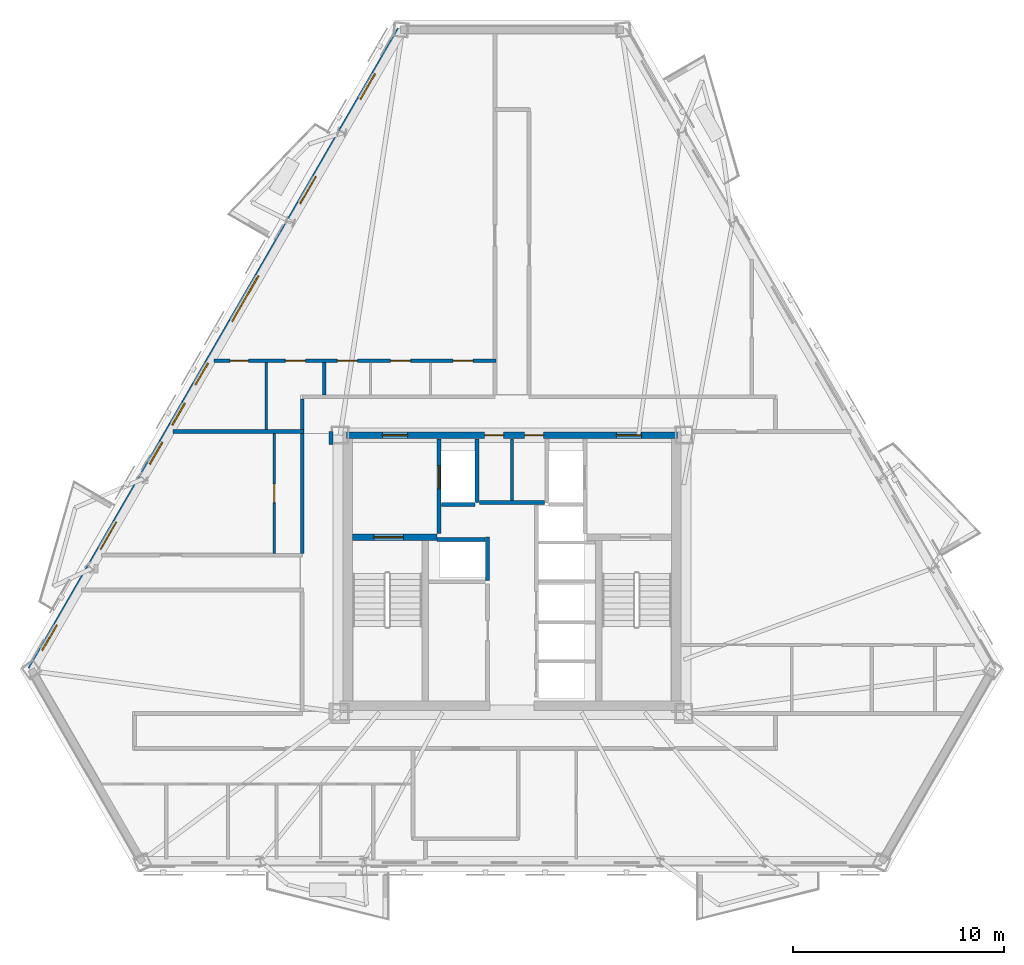
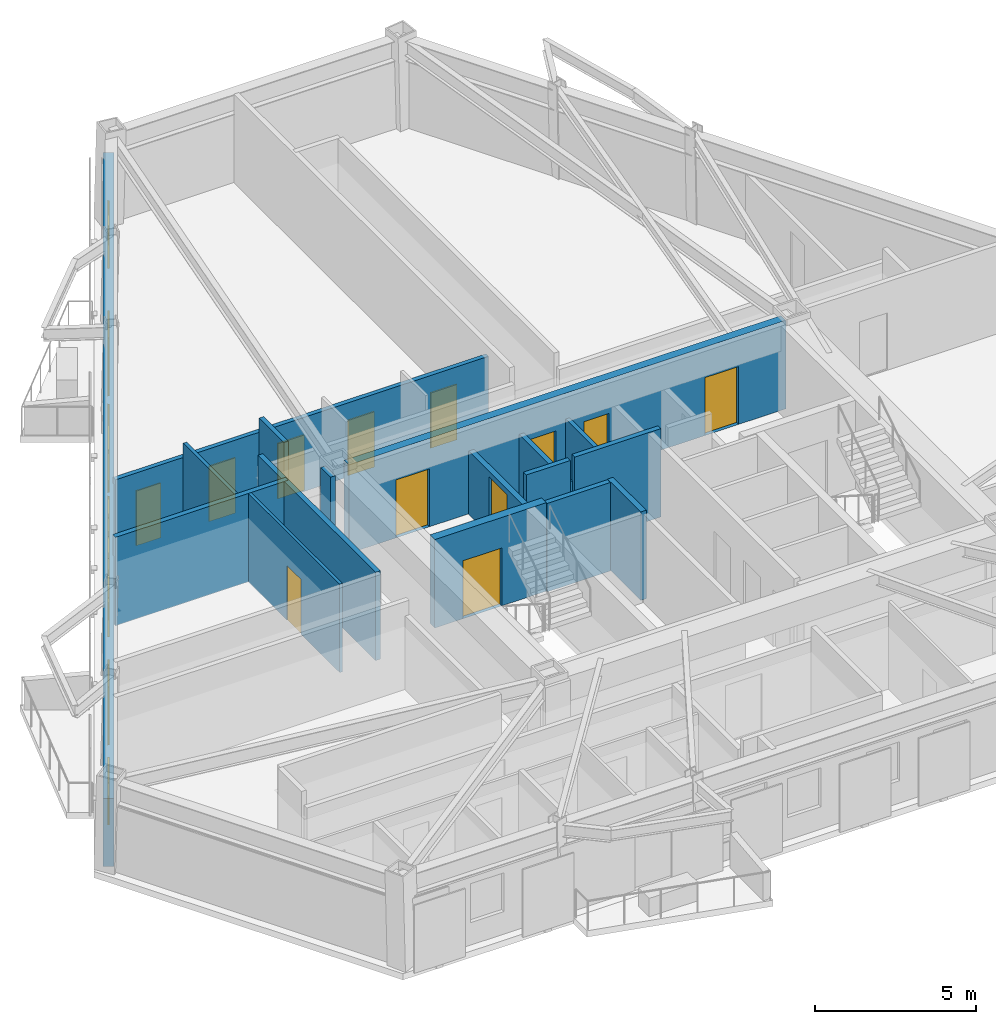
# One storey, part 4 of 9: 17 walls, 14 doors, 6 windows, 20 openings.
"""IFC4 building model written with IfcOpenShell, lengths in metres."""

from ifc_helpers import new_model, si_unit, direction, frame, frame_2d, origin, place, context, subcontext, project, spatial, rectangle, extrude, material, layer, layer_set, type_object, element, fill, save


model = new_model("IFC4")

# Units and contexts
model_context = context("Model", 3, precision=1e-05, world=origin(), true_north=direction((0.0, 1.0)))
body_context = subcontext(model_context, "Body", "Model", "MODEL_VIEW")
ifc_project = project(units=[si_unit("LENGTHUNIT", "METRE"), si_unit("AREAUNIT", "SQUARE_METRE"), si_unit("VOLUMEUNIT", "CUBIC_METRE"), si_unit("PLANEANGLEUNIT", "RADIAN"), si_unit("MASSUNIT", "GRAM", prefix="KILO")], contexts=[model_context])

# Site, building, storey
site_placement = place(None, origin())
site = spatial("IfcSite", under=ifc_project, at=site_placement, CompositionType="ELEMENT")
building_placement = place(site_placement, origin())
building = spatial("IfcBuilding", under=site, at=building_placement, Name="Oramaril Tower", CompositionType="ELEMENT")
storey_placement = place(building_placement, frame((0.0, 0.0, 126.60009765625)))
storey = spatial("IfcBuildingStorey", under=building, at=storey_placement, Name="L33", CompositionType="ELEMENT", Elevation=126.60009765625)

# Wall, openings, doors, windows
ifc_material_1 = material(Name="Warm Cream Limestone", Category="masonry")
ifc_layer_1 = layer(ifc_material_1, 0.340087890625)
ifc_layer_set_1 = layer_set([ifc_layer_1], Name="WT-EXT34")
wall_type_1 = type_object("IfcWallType", Name="WT-EXT34", PredefinedType="SOLIDWALL", material=ifc_layer_set_1)
wall_1_placement = place(storey_placement, frame((32.2138671875, 43.387451171875, 0.0), z_axis=(0.0, 0.0, 1.0), x_axis=(-0.499998814518, -0.866026088222, 0.0)))
wall_1 = element("IfcWall", 1, at=wall_1_placement, inside=storey, type_object=wall_type_1, Name="L33 Tower Limestone Facade Wall 6M", PredefinedType="SOLIDWALL", context=body_context, shape_type="SweptSolid", body=[
    extrude(rectangle(XDim=35.048828125, YDim=0.340087890625, at=frame_2d((17.5244140625, 0.0))), origin(), (0.0, 0.0, 1.0), 2.577880859375),
])
opening_1_placement = place(wall_1_placement, frame((8.034423828125, 0.0, 0.0)))
opening_1 = element("IfcOpeningElement", 2, at=opening_1_placement, cuts=wall_1, Name="Opening D-L33-BAL-NW1", PredefinedType="OPENING", context=body_context, shape_type="SweptSolid", body=[
    extrude(rectangle(XDim=1.5, YDim=2.199951171875, at=frame_2d((0.75, 1.10009765625))), frame((0.0, 0.169921875, 0.0), z_axis=(0.0, -1.0, 0.0), x_axis=(1.0, 0.0, 0.0)), (0.0, 0.0, 1.0), 0.340087890625),
])
opening_2_placement = place(wall_1_placement, frame((26.9697265625, 0.0, 0.0)))
opening_2 = element("IfcOpeningElement", 3, at=opening_2_placement, cuts=wall_1, Name="Opening D-L33-BAL-NW2", PredefinedType="OPENING", context=body_context, shape_type="SweptSolid", body=[
    extrude(rectangle(XDim=1.5, YDim=2.199951171875, at=frame_2d((0.75, 1.10009765625))), frame((0.0, 0.169921875, 0.0), z_axis=(0.0, -1.0, 0.0), x_axis=(1.0, 0.0, 0.0)), (0.0, 0.0, 1.0), 0.340087890625),
])
opening_3_placement = place(wall_1_placement, frame((32.614013671875, 0.0, 0.85009765625)))
opening_3 = element("IfcOpeningElement", 4, at=opening_3_placement, cuts=wall_1, Name="Opening WN-08", PredefinedType="OPENING", context=body_context, shape_type="SweptSolid", body=[
    extrude(rectangle(XDim=1.39990234375, YDim=1.60009765625, at=frame_2d((0.699951171875, 0.800048828125))), frame((0.0, 0.169921875, 0.0), z_axis=(0.0, -1.0, 0.0), x_axis=(1.0, 0.0, 0.0)), (0.0, 0.0, 1.0), 0.340087890625),
])
opening_4_placement = place(wall_1_placement, frame((22.603271484375, 0.0, 0.85009765625)))
opening_4 = element("IfcOpeningElement", 5, at=opening_4_placement, cuts=wall_1, Name="Opening WN-09", PredefinedType="OPENING", context=body_context, shape_type="SweptSolid", body=[
    extrude(rectangle(XDim=1.199951171875, YDim=1.47998046875, at=frame_2d((0.60009765625, 0.739990234375))), frame((0.0, 0.169921875, 0.0), z_axis=(0.0, -1.0, 0.0), x_axis=(1.0, 0.0, 0.0)), (0.0, 0.0, 1.0), 0.340087890625),
])
opening_5_placement = place(wall_1_placement, frame((2.4140625, 0.0, 0.85009765625)))
opening_5 = element("IfcOpeningElement", 6, at=opening_5_placement, cuts=wall_1, Name="Opening WN-08", PredefinedType="OPENING", context=body_context, shape_type="SweptSolid", body=[
    extrude(rectangle(XDim=1.39990234375, YDim=1.60009765625, at=frame_2d((0.699951171875, 0.800048828125))), frame((0.0, 0.169921875, 0.0), z_axis=(0.0, -1.0, 0.0), x_axis=(1.0, 0.0, 0.0)), (0.0, 0.0, 1.0), 0.340087890625),
])
opening_6_placement = place(wall_1_placement, frame((13.48388671875, 0.0, 0.85009765625)))
opening_6 = element("IfcOpeningElement", 7, at=opening_6_placement, cuts=wall_1, Name="Opening WN-11", PredefinedType="OPENING", context=body_context, shape_type="SweptSolid", body=[
    extrude(rectangle(XDim=2.5, YDim=1.617919921875, at=frame_2d((1.25, 0.80908203125))), frame((0.0, 0.169921875, 0.0), z_axis=(0.0, -1.0, 0.0), x_axis=(1.0, 0.0, 0.0)), (0.0, 0.0, 1.0), 0.340087890625),
])
opening_7_placement = place(wall_1_placement, frame((18.27001953125, 0.0, 0.85009765625)))
opening_7 = element("IfcOpeningElement", 8, at=opening_7_placement, cuts=wall_1, Name="Opening WN-09", PredefinedType="OPENING", context=body_context, shape_type="SweptSolid", body=[
    extrude(rectangle(XDim=1.199951171875, YDim=1.47998046875, at=frame_2d((0.60009765625, 0.739990234375))), frame((0.0, 0.169921875, 0.0), z_axis=(0.0, -1.0, 0.0), x_axis=(1.0, 0.0, 0.0)), (0.0, 0.0, 1.0), 0.340087890625),
])
opening_8_placement = place(wall_1_placement, frame((20.465576171875, 0.0, 0.85009765625)))
opening_8 = element("IfcOpeningElement", 9, at=opening_8_placement, cuts=wall_1, Name="Opening WN-09", PredefinedType="OPENING", context=body_context, shape_type="SweptSolid", body=[
    extrude(rectangle(XDim=1.199951171875, YDim=1.47998046875, at=frame_2d((0.60009765625, 0.739990234375))), frame((0.0, 0.169921875, 0.0), z_axis=(0.0, -1.0, 0.0), x_axis=(1.0, 0.0, 0.0)), (0.0, 0.0, 1.0), 0.340087890625),
])
ifc_material_2 = material(Name="Anodised Aluminium 6063-T6", Category="aluminium")
door_type_1 = type_object("IfcDoorType", Name="DT-BAL", OperationType="NOTDEFINED", PredefinedType="DOOR", material=ifc_material_2)
door_1_placement = place(opening_1_placement, origin())
door_1 = element("IfcDoor", 10, at=door_1_placement, inside=storey, type_object=door_type_1, Name="L33 Balcony Glazed Door L33-BAL-NW1", OperationType="SINGLE_SWING_RIGHT", OverallHeight=2.199951171875, OverallWidth=1.5, PredefinedType="DOOR", context=body_context, shape_type="SweptSolid", body=[
    extrude(rectangle(XDim=1.5, YDim=2.199951171875, at=frame_2d((0.75, 1.10009765625))), frame((0.0, 0.02490234375, 0.0), z_axis=(0.0, -1.0, 0.0), x_axis=(1.0, 0.0, 0.0)), (0.0, 0.0, 1.0), 0.050048828125),
])
fill(opening_1, door_1)
door_2_placement = place(opening_2_placement, origin())
door_2 = element("IfcDoor", 11, at=door_2_placement, inside=storey, type_object=door_type_1, Name="L33 Balcony Glazed Door L33-BAL-NW2", OperationType="SINGLE_SWING_LEFT", OverallHeight=2.199951171875, OverallWidth=1.5, PredefinedType="DOOR", context=body_context, shape_type="SweptSolid", body=[
    extrude(rectangle(XDim=1.5, YDim=2.199951171875, at=frame_2d((0.75, 1.10009765625))), frame((0.0, 0.02490234375, 0.0), z_axis=(0.0, -1.0, 0.0), x_axis=(1.0, 0.0, 0.0)), (0.0, 0.0, 1.0), 0.050048828125),
])
fill(opening_2, door_2)
ifc_material_3 = material(Name="Coastal Low-E Insulated Glass", Category="glass")
window_type_1 = type_object("IfcWindowType", Name="WNT-08", PartitioningType="SINGLE_PANEL", PredefinedType="WINDOW", material=ifc_material_3)
window_1_placement = place(opening_3_placement, origin())
window_1 = element("IfcWindow", 12, at=window_1_placement, inside=storey, type_object=window_type_1, Name="L33 Chicago Bay Window WN-08", OverallHeight=1.60009765625, OverallWidth=1.39990234375, PartitioningType="SINGLE_PANEL", PredefinedType="WINDOW", context=body_context, shape_type="SweptSolid", body=[
    extrude(rectangle(XDim=1.39990234375, YDim=1.60009765625, at=frame_2d((0.699951171875, 0.800048828125))), frame((0.0, 0.030029296875, 0.0), z_axis=(0.0, -1.0, 0.0), x_axis=(1.0, 0.0, 0.0)), (0.0, 0.0, 1.0), 0.06005859375),
])
fill(opening_3, window_1)
window_2_placement = place(opening_5_placement, origin())
window_2 = element("IfcWindow", 13, at=window_2_placement, inside=storey, type_object=window_type_1, Name="L33 Chicago Bay Window WN-08", OverallHeight=1.60009765625, OverallWidth=1.39990234375, PartitioningType="SINGLE_PANEL", PredefinedType="WINDOW", context=body_context, shape_type="SweptSolid", body=[
    extrude(rectangle(XDim=1.39990234375, YDim=1.60009765625, at=frame_2d((0.699951171875, 0.800048828125))), frame((0.0, 0.030029296875, 0.0), z_axis=(0.0, -1.0, 0.0), x_axis=(1.0, 0.0, 0.0)), (0.0, 0.0, 1.0), 0.06005859375),
])
fill(opening_5, window_2)
ifc_material_4 = material(Name="Coastal Low-E Insulated Glass", Category="glass")
window_type_2 = type_object("IfcWindowType", Name="WNT-09", PartitioningType="SINGLE_PANEL", PredefinedType="WINDOW", material=ifc_material_4)
window_3_placement = place(opening_4_placement, origin())
window_3 = element("IfcWindow", 14, at=window_3_placement, inside=storey, type_object=window_type_2, Name="L33 Chicago Bay Window WN-09", OverallHeight=1.47998046875, OverallWidth=1.199951171875, PartitioningType="SINGLE_PANEL", PredefinedType="WINDOW", context=body_context, shape_type="SweptSolid", body=[
    extrude(rectangle(XDim=1.199951171875, YDim=1.47998046875, at=frame_2d((0.60009765625, 0.739990234375))), frame((0.0, 0.030029296875, 0.0), z_axis=(0.0, -1.0, 0.0), x_axis=(1.0, 0.0, 0.0)), (0.0, 0.0, 1.0), 0.06005859375),
])
fill(opening_4, window_3)
window_4_placement = place(opening_7_placement, origin())
window_4 = element("IfcWindow", 15, at=window_4_placement, inside=storey, type_object=window_type_2, Name="L33 Chicago Bay Window WN-09", OverallHeight=1.47998046875, OverallWidth=1.199951171875, PartitioningType="SINGLE_PANEL", PredefinedType="WINDOW", context=body_context, shape_type="SweptSolid", body=[
    extrude(rectangle(XDim=1.199951171875, YDim=1.47998046875, at=frame_2d((0.60009765625, 0.739990234375))), frame((0.0, 0.030029296875, 0.0), z_axis=(0.0, -1.0, 0.0), x_axis=(1.0, 0.0, 0.0)), (0.0, 0.0, 1.0), 0.06005859375),
])
fill(opening_7, window_4)
window_5_placement = place(opening_8_placement, origin())
window_5 = element("IfcWindow", 16, at=window_5_placement, inside=storey, type_object=window_type_2, Name="L33 Chicago Bay Window WN-09", OverallHeight=1.47998046875, OverallWidth=1.199951171875, PartitioningType="SINGLE_PANEL", PredefinedType="WINDOW", context=body_context, shape_type="SweptSolid", body=[
    extrude(rectangle(XDim=1.199951171875, YDim=1.47998046875, at=frame_2d((0.60009765625, 0.739990234375))), frame((0.0, 0.030029296875, 0.0), z_axis=(0.0, -1.0, 0.0), x_axis=(1.0, 0.0, 0.0)), (0.0, 0.0, 1.0), 0.06005859375),
])
fill(opening_8, window_5)
ifc_material_5 = material(Name="Coastal Low-E Insulated Glass", Category="glass")
window_type_3 = type_object("IfcWindowType", Name="WNT-11", PartitioningType="SINGLE_PANEL", PredefinedType="WINDOW", material=ifc_material_5)
window_6_placement = place(opening_6_placement, origin())
window_6 = element("IfcWindow", 17, at=window_6_placement, inside=storey, type_object=window_type_3, Name="L33 Chicago Bay Window WN-11", OverallHeight=1.617919921875, OverallWidth=2.5, PartitioningType="SINGLE_PANEL", PredefinedType="WINDOW", context=body_context, shape_type="SweptSolid", body=[
    extrude(rectangle(XDim=2.5, YDim=1.617919921875, at=frame_2d((1.25, 0.80908203125))), frame((0.0, 0.030029296875, 0.0), z_axis=(0.0, -1.0, 0.0), x_axis=(1.0, 0.0, 0.0)), (0.0, 0.0, 1.0), 0.06005859375),
])
fill(opening_6, window_6)

# Wall, opening, door
ifc_material_6 = material(Name="Acoustic Gypsum Board Partition")
ifc_layer_2 = layer(ifc_material_6, 0.10009765625)
ifc_layer_set_2 = layer_set([ifc_layer_2], Name="WT-PT10")
wall_type_2 = type_object("IfcWallType", Name="WT-PT10", PredefinedType="PARTITIONING", material=ifc_layer_set_2)
wall_2_placement = place(storey_placement, frame((26.219970703125, 18.5439453125, 0.0), z_axis=(0.0, 0.0, 1.0), x_axis=(0.0, 1.0, 0.0)))
wall_2 = element("IfcWall", 18, at=wall_2_placement, inside=storey, type_object=wall_type_2, Name="L33 Interior Partition PT-10", PredefinedType="PARTITIONING", context=body_context, shape_type="SweptSolid", body=[
    extrude(rectangle(XDim=5.68212890625, YDim=0.10009765625, at=frame_2d((2.841064453125, 0.0))), origin(), (0.0, 0.0, 1.0), 3.35986328125),
])
opening_9_placement = place(wall_2_placement, frame((2.40087890625, 0.0, 0.0)))
opening_9 = element("IfcOpeningElement", 19, at=opening_9_placement, cuts=wall_2, Name="Opening D-L33-21", PredefinedType="OPENING", context=body_context, shape_type="SweptSolid", body=[
    extrude(rectangle(XDim=0.8798828125, YDim=2.080078125, at=frame_2d((0.43994140625, 1.0400390625))), frame((0.0, 0.050048828125, 0.0), z_axis=(0.0, -1.0, 0.0), x_axis=(1.0, 0.0, 0.0)), (0.0, 0.0, 1.0), 0.10009765625),
])
ifc_material_7 = material(Name="FSC Brazilian Freijo Hardwood", Category="wood")
door_type_2 = type_object("IfcDoorType", Name="DT-BATH", OperationType="NOTDEFINED", PredefinedType="DOOR", material=ifc_material_7)
door_3_placement = place(opening_9_placement, origin())
door_3 = element("IfcDoor", 20, at=door_3_placement, inside=storey, type_object=door_type_2, Name="L33 Flat L33-U3 Bathroom Door D-L33-21", OperationType="SINGLE_SWING_RIGHT", OverallHeight=2.080078125, OverallWidth=0.8798828125, PredefinedType="DOOR", context=body_context, shape_type="SweptSolid", body=[
    extrude(rectangle(XDim=0.8798828125, YDim=2.080078125, at=frame_2d((0.43994140625, 1.0400390625))), frame((0.0, 0.02490234375, 0.0), z_axis=(0.0, -1.0, 0.0), x_axis=(1.0, 0.0, 0.0)), (0.0, 0.0, 1.0), 0.050048828125),
])
fill(opening_9, door_3)

# Walls
ifc_material_8 = material(Name="Acoustic Gypsum Board Partition")
ifc_layer_3 = layer(ifc_material_8, 0.1201171875)
ifc_layer_set_3 = layer_set([ifc_layer_3], Name="WT-PT12")
wall_type_3 = type_object("IfcWallType", Name="WT-PT12", PredefinedType="PARTITIONING", material=ifc_layer_set_3)
wall_3_placement = place(storey_placement, frame((25.840087890625, 24.4140625, 0.0), z_axis=(0.0, 0.0, 1.0), x_axis=(0.0, 1.0, 0.0)))
element("IfcWall", 21, at=wall_3_placement, inside=storey, type_object=wall_type_3, Name="L33 Interior Partition PT-12", PredefinedType="PARTITIONING", context=body_context, shape_type="SweptSolid", body=[
    extrude(rectangle(XDim=3.19189453125, YDim=0.1201171875, at=frame_2d((1.595947265625, 0.0))), origin(), (0.0, 0.0, 1.0), 3.35986328125),
])
ifc_material_9 = material(Name="Acoustic Gypsum Board Partition")
ifc_layer_4 = layer(ifc_material_9, 0.139892578125)
ifc_layer_set_4 = layer_set([ifc_layer_4], Name="WT-PT14")
wall_type_4 = type_object("IfcWallType", Name="WT-PT14", PredefinedType="PARTITIONING", material=ifc_layer_set_4)
wall_4_placement = place(storey_placement, frame((37.5, 21.06005859375, 0.0), z_axis=(0.0, 0.0, 1.0), x_axis=(0.0, 1.0, 0.0)))
element("IfcWall", 22, at=wall_4_placement, inside=storey, type_object=wall_type_4, Name="L33 Core Service Divider", PredefinedType="PARTITIONING", context=body_context, shape_type="SweptSolid", body=[
    extrude(rectangle(XDim=2.919921875, YDim=0.139892578125, at=frame_2d((1.4599609375, 0.0))), origin(), (0.0, 0.0, 1.0), 2.39990234375),
])

# Wall, openings, doors
ifc_material_10 = material(Name="Acoustic Gypsum Board Partition")
ifc_layer_5 = layer(ifc_material_10, 0.159912109375)
ifc_layer_set_5 = layer_set([ifc_layer_5], Name="WT-PT16")
wall_type_5 = type_object("IfcWallType", Name="WT-PT16", PredefinedType="PARTITIONING", material=ifc_layer_set_5)
wall_5_placement = place(storey_placement, frame((23.351806640625, 27.68994140625, 0.0), z_axis=(0.0, 0.0, 1.0), x_axis=(1.0, 0.0, 0.0)))
wall_5 = element("IfcWall", 23, at=wall_5_placement, inside=storey, type_object=wall_type_5, Name="L33 Interior Partition PT-16", PredefinedType="PARTITIONING", context=body_context, shape_type="SweptSolid", body=[
    extrude(rectangle(XDim=13.398193359375, YDim=0.159912109375, at=frame_2d((6.69921875, 0.0))), origin(), (0.0, 0.0, 1.0), 2.81396484375),
])
opening_10_placement = place(wall_5_placement, frame((0.77734375, 0.0, 0.0)))
opening_10 = element("IfcOpeningElement", 24, at=opening_10_placement, cuts=wall_5, Name="Opening D-L33-16", PredefinedType="OPENING", context=body_context, shape_type="SweptSolid", body=[
    extrude(rectangle(XDim=0.8798828125, YDim=2.080078125, at=frame_2d((0.43994140625, 1.0400390625))), frame((0.0, 0.080078125, 0.0), z_axis=(0.0, -1.0, 0.0), x_axis=(1.0, 0.0, 0.0)), (0.0, 0.0, 1.0), 0.159912109375),
])
opening_11_placement = place(wall_5_placement, frame((3.390869140625, 0.0, 0.0)))
opening_11 = element("IfcOpeningElement", 25, at=opening_11_placement, cuts=wall_5, Name="Opening D-L33-17", PredefinedType="OPENING", context=body_context, shape_type="SweptSolid", body=[
    extrude(rectangle(XDim=0.949951171875, YDim=2.10009765625, at=frame_2d((0.47509765625, 1.050048828125))), frame((0.0, 0.080078125, 0.0), z_axis=(0.0, -1.0, 0.0), x_axis=(1.0, 0.0, 0.0)), (0.0, 0.0, 1.0), 0.159912109375),
])
opening_12_placement = place(wall_5_placement, frame((5.86328125, 0.0, 0.0)))
opening_12 = element("IfcOpeningElement", 26, at=opening_12_placement, cuts=wall_5, Name="Opening D-L33-18", PredefinedType="OPENING", context=body_context, shape_type="SweptSolid", body=[
    extrude(rectangle(XDim=0.949951171875, YDim=2.10009765625, at=frame_2d((0.47509765625, 1.050048828125))), frame((0.0, 0.080078125, 0.0), z_axis=(0.0, -1.0, 0.0), x_axis=(1.0, 0.0, 0.0)), (0.0, 0.0, 1.0), 0.159912109375),
])
opening_13_placement = place(wall_5_placement, frame((8.38623046875, 0.0, 0.0)))
opening_13 = element("IfcOpeningElement", 27, at=opening_13_placement, cuts=wall_5, Name="Opening D-L33-19", PredefinedType="OPENING", context=body_context, shape_type="SweptSolid", body=[
    extrude(rectangle(XDim=0.949951171875, YDim=2.10009765625, at=frame_2d((0.47509765625, 1.050048828125))), frame((0.0, 0.080078125, 0.0), z_axis=(0.0, -1.0, 0.0), x_axis=(1.0, 0.0, 0.0)), (0.0, 0.0, 1.0), 0.159912109375),
])
opening_14_placement = place(wall_5_placement, frame((11.356689453125, 0.0, 0.0)))
opening_14 = element("IfcOpeningElement", 28, at=opening_14_placement, cuts=wall_5, Name="Opening D-L33-20", PredefinedType="OPENING", context=body_context, shape_type="SweptSolid", body=[
    extrude(rectangle(XDim=0.949951171875, YDim=2.10009765625, at=frame_2d((0.47509765625, 1.050048828125))), frame((0.0, 0.080078125, 0.0), z_axis=(0.0, -1.0, 0.0), x_axis=(1.0, 0.0, 0.0)), (0.0, 0.0, 1.0), 0.159912109375),
])
door_4_placement = place(opening_10_placement, origin())
door_4 = element("IfcDoor", 29, at=door_4_placement, inside=storey, type_object=door_type_2, Name="L33 Flat L33-U5 Bathroom Door D-L33-16", OperationType="SINGLE_SWING_LEFT", OverallHeight=2.080078125, OverallWidth=0.8798828125, PredefinedType="DOOR", context=body_context, shape_type="SweptSolid", body=[
    extrude(rectangle(XDim=0.8798828125, YDim=2.080078125, at=frame_2d((0.43994140625, 1.0400390625))), frame((0.0, 0.02490234375, 0.0), z_axis=(0.0, -1.0, 0.0), x_axis=(1.0, 0.0, 0.0)), (0.0, 0.0, 1.0), 0.050048828125),
])
fill(opening_10, door_4)
ifc_material_11 = material(Name="FSC Brazilian Freijo Hardwood", Category="wood")
door_type_3 = type_object("IfcDoorType", Name="DT-STDY", OperationType="NOTDEFINED", PredefinedType="DOOR", material=ifc_material_11)
door_5_placement = place(opening_11_placement, origin())
door_5 = element("IfcDoor", 30, at=door_5_placement, inside=storey, type_object=door_type_3, Name="L33 Flat L33-U5 Kitchen Door D-L33-17", OperationType="SINGLE_SWING_RIGHT", OverallHeight=2.10009765625, OverallWidth=0.949951171875, PredefinedType="DOOR", context=body_context, shape_type="SweptSolid", body=[
    extrude(rectangle(XDim=0.949951171875, YDim=2.10009765625, at=frame_2d((0.47509765625, 1.050048828125))), frame((0.0, 0.02490234375, 0.0), z_axis=(0.0, -1.0, 0.0), x_axis=(1.0, 0.0, 0.0)), (0.0, 0.0, 1.0), 0.050048828125),
])
fill(opening_11, door_5)
door_6_placement = place(opening_12_placement, origin())
door_6 = element("IfcDoor", 31, at=door_6_placement, inside=storey, type_object=door_type_3, Name="L33 Flat L33-U5 Dining Alcove Door D-L33-18", OperationType="SINGLE_SWING_LEFT", OverallHeight=2.10009765625, OverallWidth=0.949951171875, PredefinedType="DOOR", context=body_context, shape_type="SweptSolid", body=[
    extrude(rectangle(XDim=0.949951171875, YDim=2.10009765625, at=frame_2d((0.47509765625, 1.050048828125))), frame((0.0, 0.02490234375, 0.0), z_axis=(0.0, -1.0, 0.0), x_axis=(1.0, 0.0, 0.0)), (0.0, 0.0, 1.0), 0.050048828125),
])
fill(opening_12, door_6)
door_7_placement = place(opening_13_placement, origin())
door_7 = element("IfcDoor", 32, at=door_7_placement, inside=storey, type_object=door_type_3, Name="L33 Flat L33-U5 Breakfast Dining Room Door D-L33-19", OperationType="SINGLE_SWING_RIGHT", OverallHeight=2.10009765625, OverallWidth=0.949951171875, PredefinedType="DOOR", context=body_context, shape_type="SweptSolid", body=[
    extrude(rectangle(XDim=0.949951171875, YDim=2.10009765625, at=frame_2d((0.47509765625, 1.050048828125))), frame((0.0, 0.02490234375, 0.0), z_axis=(0.0, -1.0, 0.0), x_axis=(1.0, 0.0, 0.0)), (0.0, 0.0, 1.0), 0.050048828125),
])
fill(opening_13, door_7)
door_8_placement = place(opening_14_placement, origin())
door_8 = element("IfcDoor", 33, at=door_8_placement, inside=storey, type_object=door_type_3, Name="L33 Flat L33-U5 Breakfast Dining Room Door D-L33-20", OperationType="SINGLE_SWING_LEFT", OverallHeight=2.10009765625, OverallWidth=0.949951171875, PredefinedType="DOOR", context=body_context, shape_type="SweptSolid", body=[
    extrude(rectangle(XDim=0.949951171875, YDim=2.10009765625, at=frame_2d((0.47509765625, 1.050048828125))), frame((0.0, 0.02490234375, 0.0), z_axis=(0.0, -1.0, 0.0), x_axis=(1.0, 0.0, 0.0)), (0.0, 0.0, 1.0), 0.050048828125),
])
fill(opening_14, door_8)

# Walls
wall_6_placement = place(storey_placement, frame((28.590087890625, 26.06396484375, 0.0), z_axis=(0.0, 0.0, 1.0), x_axis=(0.0, 1.0, 0.0)))
element("IfcWall", 34, at=wall_6_placement, inside=storey, type_object=wall_type_5, Name="L33 Interior Partition PT-16", PredefinedType="PARTITIONING", context=body_context, shape_type="SweptSolid", body=[
    extrude(rectangle(XDim=1.5419921875, YDim=0.159912109375, at=frame_2d((0.77099609375, 0.0))), origin(), (0.0, 0.0, 1.0), 3.35986328125),
])
ifc_material_12 = material(Name="Autoclaved Cellular Concrete Block", Category="concrete")
ifc_layer_6 = layer(ifc_material_12, 0.179931640625)
ifc_layer_set_6 = layer_set([ifc_layer_6], Name="WT-PT18")
wall_type_6 = type_object("IfcWallType", Name="WT-PT18", PredefinedType="PARTITIONING", material=ifc_layer_set_6)
wall_7_placement = place(storey_placement, frame((35.840087890625, 20.9599609375, 0.0), z_axis=(0.0, 0.0, 1.0), x_axis=(0.0, 1.0, 0.0)))
element("IfcWall", 35, at=wall_7_placement, inside=storey, type_object=wall_type_6, Name="L33 FL-1 East Shaft Wall", PredefinedType="PARTITIONING", context=body_context, shape_type="SweptSolid", body=[
    extrude(rectangle(XDim=3.02001953125, YDim=0.179931640625, at=frame_2d((1.510009765625, 0.0))), origin(), (0.0, 0.0, 1.0), 2.39990234375),
])
wall_8_placement = place(storey_placement, frame((34.159912109375, 20.860107421875, 0.0), z_axis=(0.0, 0.0, 1.0), x_axis=(1.0, 0.0, 0.0)))
element("IfcWall", 36, at=wall_8_placement, inside=storey, type_object=wall_type_6, Name="L33 FL-1 South Shaft Wall", PredefinedType="PARTITIONING", context=body_context, shape_type="SweptSolid", body=[
    extrude(rectangle(XDim=1.580078125, YDim=0.179931640625, at=frame_2d((0.7900390625, 0.0))), origin(), (0.0, 0.0, 1.0), 3.35986328125),
])
wall_9_placement = place(storey_placement, frame((33.949951171875, 19.199951171875, 0.0), z_axis=(0.0, 0.0, 1.0), x_axis=(1.0, 0.0, 0.0)))
element("IfcWall", 37, at=wall_9_placement, inside=storey, type_object=wall_type_6, Name="L33 High-Rise Lift H1 North Shaft Wall", PredefinedType="PARTITIONING", context=body_context, shape_type="SweptSolid", body=[
    extrude(rectangle(XDim=2.27001953125, YDim=0.179931640625, at=frame_2d((1.135009765625, 0.0))), origin(), (0.0, 0.0, 1.0), 3.35986328125),
])
wall_10_placement = place(storey_placement, frame((35.949951171875, 20.949951171875, 0.0), z_axis=(0.0, 0.0, 1.0), x_axis=(1.0, 0.0, 0.0)))
element("IfcWall", 38, at=wall_10_placement, inside=storey, type_object=wall_type_6, Name="L33 Lift Lobby North Partition", PredefinedType="PARTITIONING", context=body_context, shape_type="SweptSolid", body=[
    extrude(rectangle(XDim=3.10009765625, YDim=0.179931640625, at=frame_2d((1.550048828125, 0.0))), origin(), (0.0, 0.0, 1.0), 3.35986328125),
])
wall_11_placement = place(storey_placement, frame((21.40625, 24.320068359375, 0.0), z_axis=(0.0, 0.0, 1.0), x_axis=(1.0, 0.0, 0.0)))
element("IfcWall", 39, at=wall_11_placement, inside=storey, type_object=wall_type_6, Name="L33 Interior Partition PT-18", PredefinedType="PARTITIONING", context=body_context, shape_type="SweptSolid", body=[
    extrude(rectangle(XDim=6.203857421875, YDim=0.179931640625, at=frame_2d((3.10205078125, 0.0))), origin(), (0.0, 0.0, 1.0), 3.35986328125),
])
wall_12_placement = place(storey_placement, frame((27.550048828125, 18.5439453125, 0.0), z_axis=(0.0, 0.0, 1.0), x_axis=(0.0, 1.0, 0.0)))
element("IfcWall", 40, at=wall_12_placement, inside=storey, type_object=wall_type_6, Name="L33 Interior Partition PT-18", PredefinedType="PARTITIONING", context=body_context, shape_type="SweptSolid", body=[
    extrude(rectangle(XDim=7.33203125, YDim=0.179931640625, at=frame_2d((3.666015625, 0.0))), origin(), (0.0, 0.0, 1.0), 3.35986328125),
])
wall_13_placement = place(storey_placement, frame((28.909912109375, 23.7099609375, 0.0), z_axis=(0.0, 0.0, 1.0), x_axis=(0.0, 1.0, 0.0)))
element("IfcWall", 41, at=wall_13_placement, inside=storey, type_object=wall_type_6, Name="L33 Interior Partition PT-18", PredefinedType="PARTITIONING", context=body_context, shape_type="SweptSolid", body=[
    extrude(rectangle(XDim=0.610107421875, YDim=0.179931640625, at=frame_2d((0.30517578125, 0.0))), origin(), (0.0, 0.0, 1.0), 3.35986328125),
])

# Wall, openings, doors
ifc_material_13 = material(Name="Concrete C50/60", Category="concrete")
ifc_layer_7 = layer(ifc_material_13, 0.300048828125)
ifc_layer_set_7 = layer_set([ifc_layer_7], Name="WT-SH30")
wall_type_7 = type_object("IfcWallType", Name="WT-SH30", PredefinedType="SHEAR", material=ifc_layer_set_7)
wall_14_placement = place(storey_placement, frame((29.64990234375, 24.14990234375, 0.0), z_axis=(0.0, 0.0, 1.0), x_axis=(1.0, 0.0, 0.0)))
wall_14 = element("IfcWall", 42, at=wall_14_placement, inside=storey, type_object=wall_type_7, Name="L33 Core Shear Wall CW-N", PredefinedType="SHEAR", context=body_context, shape_type="SweptSolid", body=[
    extrude(rectangle(XDim=15.7001953125, YDim=0.300048828125, at=frame_2d((7.85009765625, 0.0))), origin(), (0.0, 0.0, 1.0), 3.35986328125),
])
opening_15_placement = place(wall_14_placement, frame((1.699951171875, 0.0, 0.0)))
opening_15 = element("IfcOpeningElement", 43, at=opening_15_placement, cuts=wall_14, Name="Opening D-L33-FFL1", PredefinedType="OPENING", context=body_context, shape_type="SweptSolid", body=[
    extrude(rectangle(XDim=1.199951171875, YDim=2.199951171875, at=frame_2d((0.60009765625, 1.10009765625))), frame((0.0, 0.14990234375, 0.0), z_axis=(0.0, -1.0, 0.0), x_axis=(1.0, 0.0, 0.0)), (0.0, 0.0, 1.0), 0.300048828125),
])
opening_16_placement = place(wall_14_placement, frame((12.800048828125, 0.0, 0.0)))
opening_16 = element("IfcOpeningElement", 44, at=opening_16_placement, cuts=wall_14, Name="Opening D-L33-FFL2", PredefinedType="OPENING", context=body_context, shape_type="SweptSolid", body=[
    extrude(rectangle(XDim=1.199951171875, YDim=2.199951171875, at=frame_2d((0.60009765625, 1.10009765625))), frame((0.0, 0.14990234375, 0.0), z_axis=(0.0, -1.0, 0.0), x_axis=(1.0, 0.0, 0.0)), (0.0, 0.0, 1.0), 0.300048828125),
])
opening_17_placement = place(wall_14_placement, frame((6.550048828125, 0.0, 0.0)))
opening_17 = element("IfcOpeningElement", 45, at=opening_17_placement, cuts=wall_14, Name="Opening D-L33-SV1", PredefinedType="OPENING", context=body_context, shape_type="SweptSolid", body=[
    extrude(rectangle(XDim=0.89990234375, YDim=2.050048828125, at=frame_2d((0.449951171875, 1.02490234375))), frame((0.0, 0.14990234375, 0.0), z_axis=(0.0, -1.0, 0.0), x_axis=(1.0, 0.0, 0.0)), (0.0, 0.0, 1.0), 0.300048828125),
])
opening_18_placement = place(wall_14_placement, frame((8.449951171875, 0.0, 0.0)))
opening_18 = element("IfcOpeningElement", 46, at=opening_18_placement, cuts=wall_14, Name="Opening D-L33-SV2", PredefinedType="OPENING", context=body_context, shape_type="SweptSolid", body=[
    extrude(rectangle(XDim=0.89990234375, YDim=2.050048828125, at=frame_2d((0.449951171875, 1.02490234375))), frame((0.0, 0.14990234375, 0.0), z_axis=(0.0, -1.0, 0.0), x_axis=(1.0, 0.0, 0.0)), (0.0, 0.0, 1.0), 0.300048828125),
])
ifc_material_14 = material(Name="Painted Galvanised Steel", Category="steel")
door_type_4 = type_object("IfcDoorType", Name="DT-FFL", OperationType="NOTDEFINED", PredefinedType="DOOR", material=ifc_material_14)
door_9_placement = place(opening_15_placement, origin())
door_9 = element("IfcDoor", 47, at=door_9_placement, inside=storey, type_object=door_type_4, Name="L33 Firefighting Lobby 1 Fire Door", OperationType="SINGLE_SWING_LEFT", OverallHeight=2.199951171875, OverallWidth=1.199951171875, PredefinedType="DOOR", context=body_context, shape_type="SweptSolid", body=[
    extrude(rectangle(XDim=1.199951171875, YDim=2.199951171875, at=frame_2d((0.60009765625, 1.10009765625))), frame((0.0, 0.02490234375, 0.0), z_axis=(0.0, -1.0, 0.0), x_axis=(1.0, 0.0, 0.0)), (0.0, 0.0, 1.0), 0.050048828125),
])
fill(opening_15, door_9)
door_10_placement = place(opening_16_placement, origin())
door_10 = element("IfcDoor", 48, at=door_10_placement, inside=storey, type_object=door_type_4, Name="L33 Firefighting Lobby 2 Fire Door", OperationType="SINGLE_SWING_RIGHT", OverallHeight=2.199951171875, OverallWidth=1.199951171875, PredefinedType="DOOR", context=body_context, shape_type="SweptSolid", body=[
    extrude(rectangle(XDim=1.199951171875, YDim=2.199951171875, at=frame_2d((0.60009765625, 1.10009765625))), frame((0.0, 0.02490234375, 0.0), z_axis=(0.0, -1.0, 0.0), x_axis=(1.0, 0.0, 0.0)), (0.0, 0.0, 1.0), 0.050048828125),
])
fill(opening_16, door_10)
ifc_material_15 = material(Name="Painted Galvanised Steel", Category="steel")
door_type_5 = type_object("IfcDoorType", Name="DT-SVC", OperationType="NOTDEFINED", PredefinedType="DOOR", material=ifc_material_15)
door_11_placement = place(opening_17_placement, origin())
door_11 = element("IfcDoor", 49, at=door_11_placement, inside=storey, type_object=door_type_5, Name="L33 Core Service Store 1 Door", OperationType="SINGLE_SWING_LEFT", OverallHeight=2.050048828125, OverallWidth=0.89990234375, PredefinedType="DOOR", context=body_context, shape_type="SweptSolid", body=[
    extrude(rectangle(XDim=0.89990234375, YDim=2.050048828125, at=frame_2d((0.449951171875, 1.02490234375))), frame((0.0, 0.02490234375, 0.0), z_axis=(0.0, -1.0, 0.0), x_axis=(1.0, 0.0, 0.0)), (0.0, 0.0, 1.0), 0.050048828125),
])
fill(opening_17, door_11)
door_12_placement = place(opening_18_placement, origin())
door_12 = element("IfcDoor", 50, at=door_12_placement, inside=storey, type_object=door_type_5, Name="L33 Core Service Store 2 Door", OperationType="SINGLE_SWING_RIGHT", OverallHeight=2.050048828125, OverallWidth=0.89990234375, PredefinedType="DOOR", context=body_context, shape_type="SweptSolid", body=[
    extrude(rectangle(XDim=0.89990234375, YDim=2.050048828125, at=frame_2d((0.449951171875, 1.02490234375))), frame((0.0, 0.02490234375, 0.0), z_axis=(0.0, -1.0, 0.0), x_axis=(1.0, 0.0, 0.0)), (0.0, 0.0, 1.0), 0.050048828125),
])
fill(opening_18, door_12)

# Wall, opening, door
wall_15_placement = place(storey_placement, frame((29.93994140625, 19.31005859375, 0.0), z_axis=(0.0, 0.0, 1.0), x_axis=(1.0, 0.0, 0.0)))
wall_15 = element("IfcWall", 51, at=wall_15_placement, inside=storey, type_object=wall_type_7, Name="L33 Core Shear Wall CW-ST1N", PredefinedType="SHEAR", context=body_context, shape_type="SweptSolid", body=[
    extrude(rectangle(XDim=4.010009765625, YDim=0.300048828125, at=frame_2d((2.0048828125, 0.0))), origin(), (0.0, 0.0, 1.0), 3.35986328125),
])
opening_19_placement = place(wall_15_placement, frame((1.010009765625, 0.0, 0.0)))
opening_19 = element("IfcOpeningElement", 52, at=opening_19_placement, cuts=wall_15, Name="Opening D-L33-ST1", PredefinedType="OPENING", context=body_context, shape_type="SweptSolid", body=[
    extrude(rectangle(XDim=1.39990234375, YDim=2.199951171875, at=frame_2d((0.699951171875, 1.10009765625))), frame((0.0, 0.14990234375, 0.0), z_axis=(0.0, -1.0, 0.0), x_axis=(1.0, 0.0, 0.0)), (0.0, 0.0, 1.0), 0.300048828125),
])
ifc_material_16 = material(Name="Painted Galvanised Steel", Category="steel")
door_type_6 = type_object("IfcDoorType", Name="DT-ST", OperationType="NOTDEFINED", PredefinedType="DOOR", material=ifc_material_16)
door_13_placement = place(opening_19_placement, origin())
door_13 = element("IfcDoor", 53, at=door_13_placement, inside=storey, type_object=door_type_6, Name="L33 Protected Stair ST-1 Fire Door", OperationType="SINGLE_SWING_LEFT", OverallHeight=2.199951171875, OverallWidth=1.39990234375, PredefinedType="DOOR", context=body_context, shape_type="SweptSolid", body=[
    extrude(rectangle(XDim=1.39990234375, YDim=2.199951171875, at=frame_2d((0.699951171875, 1.10009765625))), frame((0.0, 0.02490234375, 0.0), z_axis=(0.0, -1.0, 0.0), x_axis=(1.0, 0.0, 0.0)), (0.0, 0.0, 1.0), 0.050048828125),
])
fill(opening_19, door_13)

ifc_material_17 = material(Name="Autoclaved Cellular Concrete Block", Category="concrete")
ifc_layer_8 = layer(ifc_material_17, 0.199951171875)
ifc_layer_set_8 = layer_set([ifc_layer_8], Name="WT-SHF20")
wall_type_8 = type_object("IfcWallType", Name="WT-SHF20", PredefinedType="PARTITIONING", material=ifc_layer_set_8)
wall_16_placement = place(storey_placement, frame((34.0400390625, 19.47998046875, 0.0), z_axis=(0.0, 0.0, 1.0), x_axis=(0.0, 1.0, 0.0)))
wall_16 = element("IfcWall", 54, at=wall_16_placement, inside=storey, type_object=wall_type_8, Name="L33 FL-1 Lobby Shaft Wall", PredefinedType="PARTITIONING", context=body_context, shape_type="SweptSolid", body=[
    extrude(rectangle(XDim=4.5, YDim=0.199951171875, at=frame_2d((2.25, 0.0))), origin(), (0.0, 0.0, 1.0), 2.39990234375),
])
opening_20_placement = place(wall_16_placement, frame((2.1201171875, 0.0, 0.0)))
opening_20 = element("IfcOpeningElement", 55, at=opening_20_placement, cuts=wall_16, Name="Opening LD-L33-FL-1", PredefinedType="OPENING", context=body_context, shape_type="SweptSolid", body=[
    extrude(rectangle(XDim=1.10009765625, YDim=2.199951171875, at=frame_2d((0.550048828125, 1.10009765625))), frame((0.0, 0.10009765625, 0.0), z_axis=(0.0, -1.0, 0.0), x_axis=(1.0, 0.0, 0.0)), (0.0, 0.0, 1.0), 0.199951171875),
])
ifc_material_18 = material(Name="Stainless Steel 316L", Category="steel")
door_type_7 = type_object("IfcDoorType", Name="DT-LD1", OperationType="NOTDEFINED", PredefinedType="DOOR", material=ifc_material_18)
door_14_placement = place(opening_20_placement, origin())
door_14 = element("IfcDoor", 56, at=door_14_placement, inside=storey, type_object=door_type_7, Name="L33 Lift FL-1 Sliding Landing Door", OperationType="SLIDING_TO_LEFT", OverallHeight=2.199951171875, OverallWidth=1.10009765625, PredefinedType="DOOR", context=body_context, shape_type="SweptSolid", body=[
    extrude(rectangle(XDim=1.10009765625, YDim=2.199951171875, at=frame_2d((0.550048828125, 1.10009765625))), frame((0.0, 0.02490234375, 0.0), z_axis=(0.0, -1.0, 0.0), x_axis=(1.0, 0.0, 0.0)), (0.0, 0.0, 1.0), 0.050048828125),
])
fill(opening_20, door_14)

# Wall
wall_17_placement = place(storey_placement, frame((36.340087890625, 17.25, 0.0), z_axis=(0.0, 0.0, 1.0), x_axis=(0.0, 1.0, 0.0)))
element("IfcWall", 57, at=wall_17_placement, inside=storey, type_object=wall_type_8, Name="L33 High-Rise Lift H1 Front Wall", PredefinedType="PARTITIONING", context=body_context, shape_type="SweptSolid", body=[
    extrude(rectangle(XDim=2.070068359375, YDim=0.199951171875, at=frame_2d((1.03515625, 0.0))), origin(), (0.0, 0.0, 1.0), 3.35986328125),
])

save(model, "model.ifc")
